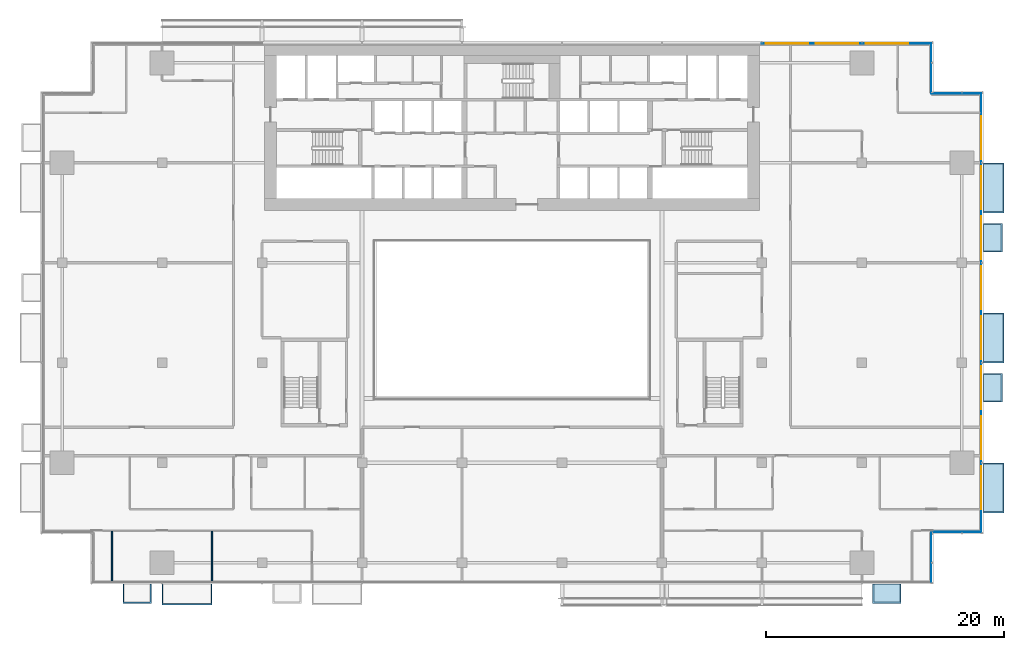
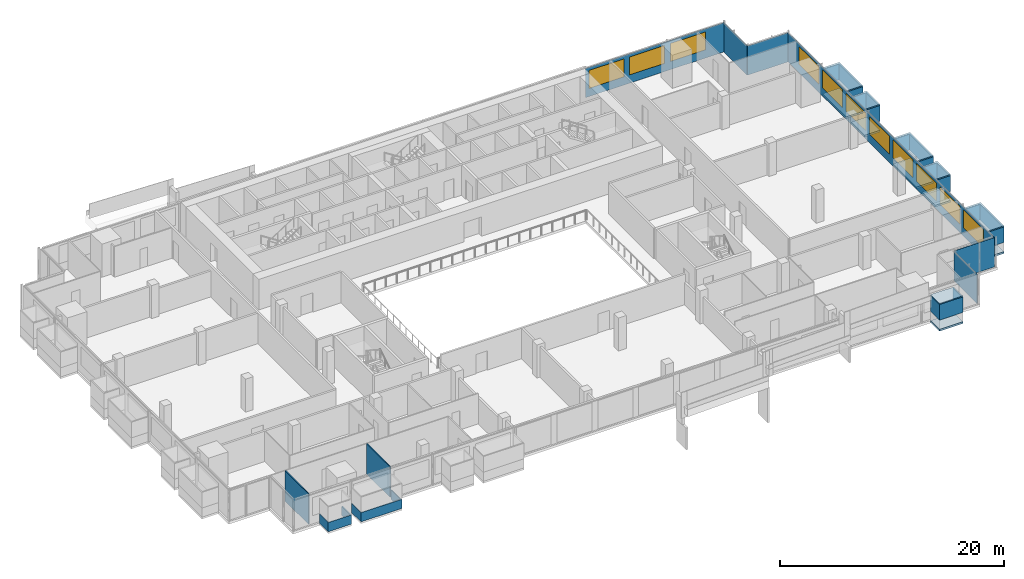
# One storey, part 16 of 26: 18 plates, 11 windows, 6 slabs, 4 walls, 11 openings, 6 elements without a shape of their own.
"""IFC4 building model written with IfcOpenShell, lengths in metres."""

from ifc_helpers import new_model, si_unit, direction, frame, frame_2d, origin, place, context, subcontext, project, spatial, polyline, rectangle, outline, extrude, material, layer, layer_set, type_object, element, fill, aggregate, save


model = new_model("IFC4")

# Units and contexts
model_context = context("Model", 3, precision=1e-05, world=origin(), true_north=direction((0.0, 1.0)))
body_context = subcontext(model_context, "Body", "Model", "MODEL_VIEW")
ifc_project = project(units=[si_unit("LENGTHUNIT", "METRE"), si_unit("AREAUNIT", "SQUARE_METRE"), si_unit("VOLUMEUNIT", "CUBIC_METRE"), si_unit("PLANEANGLEUNIT", "RADIAN"), si_unit("MASSUNIT", "GRAM", prefix="KILO")], contexts=[model_context])

# Site, building, storey
site_placement = place(None, origin())
site = spatial("IfcSite", under=ifc_project, at=site_placement, CompositionType="ELEMENT")
building_placement = place(site_placement, origin())
building = spatial("IfcBuilding", under=site, at=building_placement, Name="Saffron Gate Tower", CompositionType="ELEMENT")
storey_placement = place(building_placement, frame((0.0, 0.0, 102.449951171875)))
storey = spatial("IfcBuildingStorey", under=building, at=storey_placement, Name="L23", CompositionType="ELEMENT", Elevation=102.449951171875)

# Curtain wall, plate, openings, windows
ifc_material_1 = material(Name="Aluminium, bronze anodised", Category="aluminium")
curtain_wall_type_1 = type_object("IfcCurtainWallType", Name="CWS2 curtain wall side facades", PredefinedType="NOTDEFINED", material=ifc_material_1)
curtain_wall_1_placement = place(storey_placement, origin())
curtain_wall_1 = element("IfcCurtainWall", 1, at=curtain_wall_1_placement, inside=storey, type_object=curtain_wall_type_1, Name="CWS2 run 4", PredefinedType="NOTDEFINED")
ifc_material_2 = material(Name="Fritted bronze-tinted laminated glass", Category="glass")
ifc_layer_1 = layer(ifc_material_2, 0.028076171875)
ifc_layer_set_1 = layer_set([ifc_layer_1], Name="CWS2 fixed glass")
plate_type_1 = type_object("IfcPlateType", Name="CWS2 fixed glass", PredefinedType="CURTAIN_PANEL", material=ifc_layer_set_1)
plate_1_placement = place(storey_placement, frame((127.02587890625, 34.387939453125, 0.0), z_axis=(0.0, 0.0, 1.0), x_axis=(0.0, 1.0, 0.0)))
plate_1 = element("IfcPlate", 2, at=plate_1_placement, type_object=plate_type_1, Name="CWS2 glass panel", PredefinedType="CURTAIN_PANEL", context=body_context, shape_type="SweptSolid", body=[
    extrude(rectangle(XDim=36.823974609375, YDim=0.028076171875, at=frame_2d((18.412109375, 0.0))), origin(), (0.0, 0.0, 1.0), 3.199951171875),
])
opening_1_placement = place(plate_1_placement, frame((1.912109375, 0.0, 0.89990234375)))
opening_1 = element("IfcOpeningElement", 3, at=opening_1_placement, cuts=plate_1, Name="Opening W1", PredefinedType="OPENING", context=body_context, shape_type="SweptSolid", body=[
    extrude(rectangle(XDim=3.60009765625, YDim=1.949951171875, at=frame_2d((1.800048828125, 0.97509765625))), frame((0.0, 0.02392578125, 0.0), z_axis=(0.0, -1.0, 0.0), x_axis=(1.0, 0.0, 0.0)), (0.0, 0.0, 1.0), 0.048095703125),
])
opening_2_placement = place(plate_1_placement, frame((6.112060546875, 0.0, 0.89990234375)))
opening_2 = element("IfcOpeningElement", 4, at=opening_2_placement, cuts=plate_1, Name="Opening W1", PredefinedType="OPENING", context=body_context, shape_type="SweptSolid", body=[
    extrude(rectangle(XDim=3.60009765625, YDim=1.949951171875, at=frame_2d((1.800048828125, 0.97509765625))), frame((0.0, 0.02392578125, 0.0), z_axis=(0.0, -1.0, 0.0), x_axis=(1.0, 0.0, 0.0)), (0.0, 0.0, 1.0), 0.048095703125),
])
opening_3_placement = place(plate_1_placement, frame((10.31201171875, 0.0, 0.89990234375)))
opening_3 = element("IfcOpeningElement", 5, at=opening_3_placement, cuts=plate_1, Name="Opening W1", PredefinedType="OPENING", context=body_context, shape_type="SweptSolid", body=[
    extrude(rectangle(XDim=3.60009765625, YDim=1.949951171875, at=frame_2d((1.800048828125, 0.97509765625))), frame((0.0, 0.02392578125, 0.0), z_axis=(0.0, -1.0, 0.0), x_axis=(1.0, 0.0, 0.0)), (0.0, 0.0, 1.0), 0.048095703125),
])
opening_4_placement = place(plate_1_placement, frame((14.511962890625, 0.0, 0.89990234375)))
opening_4 = element("IfcOpeningElement", 6, at=opening_4_placement, cuts=plate_1, Name="Opening W1", PredefinedType="OPENING", context=body_context, shape_type="SweptSolid", body=[
    extrude(rectangle(XDim=3.60009765625, YDim=1.949951171875, at=frame_2d((1.800048828125, 0.97509765625))), frame((0.0, 0.02392578125, 0.0), z_axis=(0.0, -1.0, 0.0), x_axis=(1.0, 0.0, 0.0)), (0.0, 0.0, 1.0), 0.048095703125),
])
opening_5_placement = place(plate_1_placement, frame((18.7119140625, 0.0, 0.89990234375)))
opening_5 = element("IfcOpeningElement", 7, at=opening_5_placement, cuts=plate_1, Name="Opening W1", PredefinedType="OPENING", context=body_context, shape_type="SweptSolid", body=[
    extrude(rectangle(XDim=3.60009765625, YDim=1.949951171875, at=frame_2d((1.800048828125, 0.97509765625))), frame((0.0, 0.02392578125, 0.0), z_axis=(0.0, -1.0, 0.0), x_axis=(1.0, 0.0, 0.0)), (0.0, 0.0, 1.0), 0.048095703125),
])
opening_6_placement = place(plate_1_placement, frame((22.912109375, 0.0, 0.89990234375)))
opening_6 = element("IfcOpeningElement", 8, at=opening_6_placement, cuts=plate_1, Name="Opening W1", PredefinedType="OPENING", context=body_context, shape_type="SweptSolid", body=[
    extrude(rectangle(XDim=3.60009765625, YDim=1.949951171875, at=frame_2d((1.800048828125, 0.97509765625))), frame((0.0, 0.02392578125, 0.0), z_axis=(0.0, -1.0, 0.0), x_axis=(1.0, 0.0, 0.0)), (0.0, 0.0, 1.0), 0.048095703125),
])
opening_7_placement = place(plate_1_placement, frame((27.112060546875, 0.0, 0.89990234375)))
opening_7 = element("IfcOpeningElement", 9, at=opening_7_placement, cuts=plate_1, Name="Opening W1", PredefinedType="OPENING", context=body_context, shape_type="SweptSolid", body=[
    extrude(rectangle(XDim=3.60009765625, YDim=1.949951171875, at=frame_2d((1.800048828125, 0.97509765625))), frame((0.0, 0.02392578125, 0.0), z_axis=(0.0, -1.0, 0.0), x_axis=(1.0, 0.0, 0.0)), (0.0, 0.0, 1.0), 0.048095703125),
])
opening_8_placement = place(plate_1_placement, frame((31.31201171875, 0.0, 0.89990234375)))
opening_8 = element("IfcOpeningElement", 10, at=opening_8_placement, cuts=plate_1, Name="Opening W1", PredefinedType="OPENING", context=body_context, shape_type="SweptSolid", body=[
    extrude(rectangle(XDim=3.60009765625, YDim=1.949951171875, at=frame_2d((1.800048828125, 0.97509765625))), frame((0.0, 0.02392578125, 0.0), z_axis=(0.0, -1.0, 0.0), x_axis=(1.0, 0.0, 0.0)), (0.0, 0.0, 1.0), 0.048095703125),
])
ifc_material_3 = material(Name="Fritted bronze-tinted laminated glass in bronze frame", Category="glass")
ifc_layer_2 = layer(ifc_material_3, 0.06005859375)
ifc_layer_set_2 = layer_set([ifc_layer_2], Name="W1 operable panel 3600x1950")
window_type = type_object("IfcWindowType", Name="W1 operable panel 3600x1950", PartitioningType="DOUBLE_PANEL_HORIZONTAL", PredefinedType="WINDOW", material=ifc_layer_set_2)
window_1_placement = place(opening_1_placement, origin())
window_1 = element("IfcWindow", 11, at=window_1_placement, type_object=window_type, Name="W1 operable panel", OverallHeight=1.949951171875, OverallWidth=3.60009765625, PartitioningType="SINGLE_PANEL", PredefinedType="WINDOW", context=body_context, shape_type="SweptSolid", body=[
    extrude(rectangle(XDim=3.60009765625, YDim=1.949951171875, at=frame_2d((1.800048828125, 0.97509765625))), frame((0.0, 0.013671875, 0.0), z_axis=(0.0, -1.0, 0.0), x_axis=(1.0, 0.0, 0.0)), (0.0, 0.0, 1.0), 0.027587890625),
])
fill(opening_1, window_1)
window_2_placement = place(opening_2_placement, origin())
window_2 = element("IfcWindow", 12, at=window_2_placement, type_object=window_type, Name="W1 operable panel", OverallHeight=1.949951171875, OverallWidth=3.60009765625, PartitioningType="SINGLE_PANEL", PredefinedType="WINDOW", context=body_context, shape_type="SweptSolid", body=[
    extrude(rectangle(XDim=3.60009765625, YDim=1.949951171875, at=frame_2d((1.800048828125, 0.97509765625))), frame((0.0, 0.013671875, 0.0), z_axis=(0.0, -1.0, 0.0), x_axis=(1.0, 0.0, 0.0)), (0.0, 0.0, 1.0), 0.027587890625),
])
fill(opening_2, window_2)
window_3_placement = place(opening_3_placement, origin())
window_3 = element("IfcWindow", 13, at=window_3_placement, type_object=window_type, Name="W1 operable panel", OverallHeight=1.949951171875, OverallWidth=3.60009765625, PartitioningType="SINGLE_PANEL", PredefinedType="WINDOW", context=body_context, shape_type="SweptSolid", body=[
    extrude(rectangle(XDim=3.60009765625, YDim=1.949951171875, at=frame_2d((1.800048828125, 0.97509765625))), frame((0.0, 0.013671875, 0.0), z_axis=(0.0, -1.0, 0.0), x_axis=(1.0, 0.0, 0.0)), (0.0, 0.0, 1.0), 0.027587890625),
])
fill(opening_3, window_3)
window_4_placement = place(opening_4_placement, origin())
window_4 = element("IfcWindow", 14, at=window_4_placement, type_object=window_type, Name="W1 operable panel", OverallHeight=1.949951171875, OverallWidth=3.60009765625, PartitioningType="SINGLE_PANEL", PredefinedType="WINDOW", context=body_context, shape_type="SweptSolid", body=[
    extrude(rectangle(XDim=3.60009765625, YDim=1.949951171875, at=frame_2d((1.800048828125, 0.97509765625))), frame((0.0, 0.013671875, 0.0), z_axis=(0.0, -1.0, 0.0), x_axis=(1.0, 0.0, 0.0)), (0.0, 0.0, 1.0), 0.027587890625),
])
fill(opening_4, window_4)
window_5_placement = place(opening_5_placement, origin())
window_5 = element("IfcWindow", 15, at=window_5_placement, type_object=window_type, Name="W1 operable panel", OverallHeight=1.949951171875, OverallWidth=3.60009765625, PartitioningType="SINGLE_PANEL", PredefinedType="WINDOW", context=body_context, shape_type="SweptSolid", body=[
    extrude(rectangle(XDim=3.60009765625, YDim=1.949951171875, at=frame_2d((1.800048828125, 0.97509765625))), frame((0.0, 0.013671875, 0.0), z_axis=(0.0, -1.0, 0.0), x_axis=(1.0, 0.0, 0.0)), (0.0, 0.0, 1.0), 0.027587890625),
])
fill(opening_5, window_5)
window_6_placement = place(opening_6_placement, origin())
window_6 = element("IfcWindow", 16, at=window_6_placement, type_object=window_type, Name="W1 operable panel", OverallHeight=1.949951171875, OverallWidth=3.60009765625, PartitioningType="SINGLE_PANEL", PredefinedType="WINDOW", context=body_context, shape_type="SweptSolid", body=[
    extrude(rectangle(XDim=3.60009765625, YDim=1.949951171875, at=frame_2d((1.800048828125, 0.97509765625))), frame((0.0, 0.013671875, 0.0), z_axis=(0.0, -1.0, 0.0), x_axis=(1.0, 0.0, 0.0)), (0.0, 0.0, 1.0), 0.027587890625),
])
fill(opening_6, window_6)
window_7_placement = place(opening_7_placement, origin())
window_7 = element("IfcWindow", 17, at=window_7_placement, type_object=window_type, Name="W1 operable panel", OverallHeight=1.949951171875, OverallWidth=3.60009765625, PartitioningType="SINGLE_PANEL", PredefinedType="WINDOW", context=body_context, shape_type="SweptSolid", body=[
    extrude(rectangle(XDim=3.60009765625, YDim=1.949951171875, at=frame_2d((1.800048828125, 0.97509765625))), frame((0.0, 0.013671875, 0.0), z_axis=(0.0, -1.0, 0.0), x_axis=(1.0, 0.0, 0.0)), (0.0, 0.0, 1.0), 0.027587890625),
])
fill(opening_7, window_7)
window_8_placement = place(opening_8_placement, origin())
window_8 = element("IfcWindow", 18, at=window_8_placement, type_object=window_type, Name="W1 operable panel", OverallHeight=1.949951171875, OverallWidth=3.60009765625, PartitioningType="SINGLE_PANEL", PredefinedType="WINDOW", context=body_context, shape_type="SweptSolid", body=[
    extrude(rectangle(XDim=3.60009765625, YDim=1.949951171875, at=frame_2d((1.800048828125, 0.97509765625))), frame((0.0, 0.013671875, 0.0), z_axis=(0.0, -1.0, 0.0), x_axis=(1.0, 0.0, 0.0)), (0.0, 0.0, 1.0), 0.027587890625),
])
fill(opening_8, window_8)
aggregate(curtain_wall_1, [plate_1, window_1, window_2, window_3, window_4, window_5, window_6, window_7, window_8])

curtain_wall_type_2 = type_object("IfcCurtainWallType", Name="CWS3 curtain wall rear facade", PredefinedType="NOTDEFINED", material=ifc_material_1)
curtain_wall_2_placement = place(storey_placement, origin())
curtain_wall_2 = element("IfcCurtainWall", 19, at=curtain_wall_2_placement, inside=storey, type_object=curtain_wall_type_2, Name="CWS3 run 7", PredefinedType="NOTDEFINED")
ifc_material_4 = material(Name="Fritted grey-tinted laminated glass", Category="glass")
ifc_layer_3 = layer(ifc_material_4, 0.028076171875)
ifc_layer_set_3 = layer_set([ifc_layer_3], Name="CWS3 fixed glass")
plate_type_2 = type_object("IfcPlateType", Name="CWS3 fixed glass", PredefinedType="CURTAIN_PANEL", material=ifc_layer_set_3)
plate_2_placement = place(storey_placement, frame((122.81201171875, 75.426025390625, 0.0), z_axis=(0.0, 0.0, 1.0), x_axis=(-1.0, 0.0, 0.0)))
plate_2 = element("IfcPlate", 20, at=plate_2_placement, type_object=plate_type_2, Name="CWS3 glass panel", PredefinedType="CURTAIN_PANEL", context=body_context, shape_type="SweptSolid", body=[
    extrude(rectangle(XDim=14.2470703125, YDim=0.028076171875, at=frame_2d((7.12353515625, 0.0))), origin(), (0.0, 0.0, 1.0), 3.199951171875),
])
opening_9_placement = place(plate_2_placement, frame((1.912109375, 0.0, 0.89990234375)))
opening_9 = element("IfcOpeningElement", 21, at=opening_9_placement, cuts=plate_2, Name="Opening W1", PredefinedType="OPENING", context=body_context, shape_type="SweptSolid", body=[
    extrude(rectangle(XDim=3.60009765625, YDim=1.949951171875, at=frame_2d((1.800048828125, 0.97509765625))), frame((0.0, 0.02392578125, 0.0), z_axis=(0.0, -1.0, 0.0), x_axis=(1.0, 0.0, 0.0)), (0.0, 0.0, 1.0), 0.048095703125),
])
opening_10_placement = place(plate_2_placement, frame((6.112060546875, 0.0, 0.89990234375)))
opening_10 = element("IfcOpeningElement", 22, at=opening_10_placement, cuts=plate_2, Name="Opening W1", PredefinedType="OPENING", context=body_context, shape_type="SweptSolid", body=[
    extrude(rectangle(XDim=3.60009765625, YDim=1.949951171875, at=frame_2d((1.800048828125, 0.97509765625))), frame((0.0, 0.02392578125, 0.0), z_axis=(0.0, -1.0, 0.0), x_axis=(1.0, 0.0, 0.0)), (0.0, 0.0, 1.0), 0.048095703125),
])
opening_11_placement = place(plate_2_placement, frame((10.31201171875, 0.0, 0.89990234375)))
opening_11 = element("IfcOpeningElement", 23, at=opening_11_placement, cuts=plate_2, Name="Opening W1", PredefinedType="OPENING", context=body_context, shape_type="SweptSolid", body=[
    extrude(rectangle(XDim=3.60009765625, YDim=1.949951171875, at=frame_2d((1.800048828125, 0.97509765625))), frame((0.0, 0.02392578125, 0.0), z_axis=(0.0, -1.0, 0.0), x_axis=(1.0, 0.0, 0.0)), (0.0, 0.0, 1.0), 0.048095703125),
])
window_9_placement = place(opening_9_placement, origin())
window_9 = element("IfcWindow", 24, at=window_9_placement, type_object=window_type, Name="W1 operable panel", OverallHeight=1.949951171875, OverallWidth=3.60009765625, PartitioningType="SINGLE_PANEL", PredefinedType="WINDOW", context=body_context, shape_type="SweptSolid", body=[
    extrude(rectangle(XDim=3.60009765625, YDim=1.949951171875, at=frame_2d((1.800048828125, 0.97509765625))), frame((0.0, 0.013671875, 0.0), z_axis=(0.0, -1.0, 0.0), x_axis=(1.0, 0.0, 0.0)), (0.0, 0.0, 1.0), 0.027587890625),
])
fill(opening_9, window_9)
window_10_placement = place(opening_10_placement, origin())
window_10 = element("IfcWindow", 25, at=window_10_placement, type_object=window_type, Name="W1 operable panel", OverallHeight=1.949951171875, OverallWidth=3.60009765625, PartitioningType="SINGLE_PANEL", PredefinedType="WINDOW", context=body_context, shape_type="SweptSolid", body=[
    extrude(rectangle(XDim=3.60009765625, YDim=1.949951171875, at=frame_2d((1.800048828125, 0.97509765625))), frame((0.0, 0.013671875, 0.0), z_axis=(0.0, -1.0, 0.0), x_axis=(1.0, 0.0, 0.0)), (0.0, 0.0, 1.0), 0.027587890625),
])
fill(opening_10, window_10)
window_11_placement = place(opening_11_placement, origin())
window_11 = element("IfcWindow", 26, at=window_11_placement, type_object=window_type, Name="W1 operable panel", OverallHeight=1.949951171875, OverallWidth=3.60009765625, PartitioningType="SINGLE_PANEL", PredefinedType="WINDOW", context=body_context, shape_type="SweptSolid", body=[
    extrude(rectangle(XDim=3.60009765625, YDim=1.949951171875, at=frame_2d((1.800048828125, 0.97509765625))), frame((0.0, 0.013671875, 0.0), z_axis=(0.0, -1.0, 0.0), x_axis=(1.0, 0.0, 0.0)), (0.0, 0.0, 1.0), 0.027587890625),
])
fill(opening_11, window_11)
aggregate(curtain_wall_2, [plate_2, window_9, window_10, window_11])

# Curtain wall, plate
curtain_wall_type_3 = type_object("IfcCurtainWallType", Name="CWS4 curtain wall corner returns", PredefinedType="NOTDEFINED", material=ifc_material_1)
curtain_wall_3_placement = place(storey_placement, origin())
curtain_wall_3 = element("IfcCurtainWall", 27, at=curtain_wall_3_placement, inside=storey, type_object=curtain_wall_type_3, Name="CWS4 run 2", PredefinedType="NOTDEFINED")
ifc_layer_4 = layer(ifc_material_2, 0.028076171875)
ifc_layer_set_4 = layer_set([ifc_layer_4], Name="CWS4 fixed glass")
plate_type_3 = type_object("IfcPlateType", Name="CWS4 fixed glass", PredefinedType="CURTAIN_PANEL", material=ifc_layer_set_4)
plate_3_placement = place(storey_placement, frame((122.825927734375, 30.18798828125, 0.0), z_axis=(0.0, 0.0, 1.0), x_axis=(0.0, 1.0, 0.0)))
plate_3 = element("IfcPlate", 28, at=plate_3_placement, type_object=plate_type_3, Name="CWS4 glass panel", PredefinedType="CURTAIN_PANEL", context=body_context, shape_type="SweptSolid", body=[
    extrude(rectangle(XDim=4.172119140625, YDim=0.028076171875, at=frame_2d((2.0859375, 0.0))), origin(), (0.0, 0.0, 1.0), 3.199951171875),
])
aggregate(curtain_wall_3, [plate_3])

curtain_wall_4_placement = place(storey_placement, origin())
curtain_wall_4 = element("IfcCurtainWall", 29, at=curtain_wall_4_placement, inside=storey, type_object=curtain_wall_type_3, Name="CWS4 run 3", PredefinedType="NOTDEFINED")
plate_4_placement = place(storey_placement, frame((122.840087890625, 34.3740234375, 0.0), z_axis=(0.0, 0.0, 1.0), x_axis=(1.0, 0.0, 0.0)))
plate_4 = element("IfcPlate", 30, at=plate_4_placement, type_object=plate_type_3, Name="CWS4 glass panel", PredefinedType="CURTAIN_PANEL", context=body_context, shape_type="SweptSolid", body=[
    extrude(rectangle(XDim=4.171875, YDim=0.028076171875, at=frame_2d((2.0859375, 0.0))), origin(), (0.0, 0.0, 1.0), 3.199951171875),
])
aggregate(curtain_wall_4, [plate_4])

curtain_wall_5_placement = place(storey_placement, origin())
curtain_wall_5 = element("IfcCurtainWall", 31, at=curtain_wall_5_placement, inside=storey, type_object=curtain_wall_type_3, Name="CWS4 run 5", PredefinedType="NOTDEFINED")
plate_5_placement = place(storey_placement, frame((127.011962890625, 71.22607421875, 0.0), z_axis=(0.0, 0.0, 1.0), x_axis=(-1.0, 0.0, 0.0)))
plate_5 = element("IfcPlate", 32, at=plate_5_placement, type_object=plate_type_3, Name="CWS4 glass panel", PredefinedType="CURTAIN_PANEL", context=body_context, shape_type="SweptSolid", body=[
    extrude(rectangle(XDim=4.171875, YDim=0.028076171875, at=frame_2d((2.0859375, 0.0))), origin(), (0.0, 0.0, 1.0), 3.199951171875),
])
aggregate(curtain_wall_5, [plate_5])

curtain_wall_6_placement = place(storey_placement, origin())
curtain_wall_6 = element("IfcCurtainWall", 33, at=curtain_wall_6_placement, inside=storey, type_object=curtain_wall_type_3, Name="CWS4 run 6", PredefinedType="NOTDEFINED")
plate_6_placement = place(storey_placement, frame((122.825927734375, 71.239990234375, 0.0), z_axis=(0.0, 0.0, 1.0), x_axis=(0.0, 1.0, 0.0)))
plate_6 = element("IfcPlate", 34, at=plate_6_placement, type_object=plate_type_3, Name="CWS4 glass panel", PredefinedType="CURTAIN_PANEL", context=body_context, shape_type="SweptSolid", body=[
    extrude(rectangle(XDim=4.172119140625, YDim=0.028076171875, at=frame_2d((2.0859375, 0.0))), origin(), (0.0, 0.0, 1.0), 3.199951171875),
])
aggregate(curtain_wall_6, [plate_6])

# Slabs
ifc_material_5 = material(Name="Timber deck on bronze frame", Category="wood")
ifc_layer_5 = layer(ifc_material_5, 0.199951171875)
ifc_layer_set_5 = layer_set([ifc_layer_5], Name="WB1 box floor")
slab_type = type_object("IfcSlabType", Name="WB1 box floor", PredefinedType="FLOOR", material=ifc_layer_set_5)
slab_1_placement = place(storey_placement, frame((0.0, 0.0, -0.199951171875)))
element("IfcSlab", 35, at=slab_1_placement, inside=storey, type_object=slab_type, Name="WINDOW BOX floor", PredefinedType="FLOOR", context=body_context, shape_type="SweptSolid", body=[
    extrude(outline(polyline([(117.89990234375, 30.0), (120.300048828125, 30.0), (120.300048828125, 28.39990234375), (117.89990234375, 28.39990234375), (117.89990234375, 30.0)])), origin(), (0.0, 0.0, 1.0), 0.199951171875),
])
slab_2_placement = place(storey_placement, frame((0.0, 0.0, -0.199951171875)))
element("IfcSlab", 36, at=slab_2_placement, inside=storey, type_object=slab_type, Name="WINDOW BOX floor", PredefinedType="FLOOR", context=body_context, shape_type="SweptSolid", body=[
    extrude(outline(polyline([(127.199951171875, 36.0), (127.199951171875, 40.199951171875), (128.93310546875, 40.199951171875), (128.93310546875, 36.0), (127.199951171875, 36.0)])), origin(), (0.0, 0.0, 1.0), 0.199951171875),
])
slab_3_placement = place(storey_placement, frame((0.0, 0.0, -0.199951171875)))
element("IfcSlab", 37, at=slab_3_placement, inside=storey, type_object=slab_type, Name="WINDOW BOX floor", PredefinedType="FLOOR", context=body_context, shape_type="SweptSolid", body=[
    extrude(outline(polyline([(127.199951171875, 45.300048828125), (127.199951171875, 47.699951171875), (128.800048828125, 47.699951171875), (128.800048828125, 45.300048828125), (127.199951171875, 45.300048828125)])), origin(), (0.0, 0.0, 1.0), 0.199951171875),
])
slab_4_placement = place(storey_placement, frame((0.0, 0.0, -0.199951171875)))
element("IfcSlab", 38, at=slab_4_placement, inside=storey, type_object=slab_type, Name="WINDOW BOX floor", PredefinedType="FLOOR", context=body_context, shape_type="SweptSolid", body=[
    extrude(outline(polyline([(127.199951171875, 48.60009765625), (127.199951171875, 52.800048828125), (128.93310546875, 52.800048828125), (128.93310546875, 48.60009765625), (127.199951171875, 48.60009765625)])), origin(), (0.0, 0.0, 1.0), 0.199951171875),
])
slab_5_placement = place(storey_placement, frame((0.0, 0.0, -0.199951171875)))
element("IfcSlab", 39, at=slab_5_placement, inside=storey, type_object=slab_type, Name="WINDOW BOX floor", PredefinedType="FLOOR", context=body_context, shape_type="SweptSolid", body=[
    extrude(outline(polyline([(127.199951171875, 57.89990234375), (127.199951171875, 60.300048828125), (128.800048828125, 60.300048828125), (128.800048828125, 57.89990234375), (127.199951171875, 57.89990234375)])), origin(), (0.0, 0.0, 1.0), 0.199951171875),
])
slab_6_placement = place(storey_placement, frame((0.0, 0.0, -0.199951171875)))
element("IfcSlab", 40, at=slab_6_placement, inside=storey, type_object=slab_type, Name="WINDOW BOX floor", PredefinedType="FLOOR", context=body_context, shape_type="SweptSolid", body=[
    extrude(outline(polyline([(127.199951171875, 61.199951171875), (127.199951171875, 65.39990234375), (128.93310546875, 65.39990234375), (128.93310546875, 61.199951171875), (127.199951171875, 61.199951171875)])), origin(), (0.0, 0.0, 1.0), 0.199951171875),
])

# Plates
ifc_layer_6 = layer(ifc_material_1, 0.1201171875)
ifc_layer_set_6 = layer_set([ifc_layer_6], Name="WB2 box roof")
plate_type_4 = type_object("IfcPlateType", Name="WB2 box roof", PredefinedType="SHEET", material=ifc_layer_set_6)
plate_7_placement = place(storey_placement, frame((0.0, 0.0, 2.699951171875)))
element("IfcPlate", 41, at=plate_7_placement, inside=storey, type_object=plate_type_4, Name="WINDOW BOX roof", PredefinedType="SHEET", context=body_context, shape_type="SweptSolid", body=[
    extrude(outline(polyline([(117.89990234375, 30.0), (120.300048828125, 30.0), (120.300048828125, 28.39990234375), (117.89990234375, 28.39990234375), (117.89990234375, 30.0)])), origin(), (0.0, 0.0, 1.0), 0.1201171875),
])
plate_8_placement = place(storey_placement, frame((0.0, 0.0, 2.699951171875)))
element("IfcPlate", 42, at=plate_8_placement, inside=storey, type_object=plate_type_4, Name="WINDOW BOX roof", PredefinedType="SHEET", context=body_context, shape_type="SweptSolid", body=[
    extrude(outline(polyline([(127.199951171875, 36.0), (127.199951171875, 40.199951171875), (128.93310546875, 40.199951171875), (128.93310546875, 36.0), (127.199951171875, 36.0)])), origin(), (0.0, 0.0, 1.0), 0.1201171875),
])
plate_9_placement = place(storey_placement, frame((0.0, 0.0, 2.699951171875)))
element("IfcPlate", 43, at=plate_9_placement, inside=storey, type_object=plate_type_4, Name="WINDOW BOX roof", PredefinedType="SHEET", context=body_context, shape_type="SweptSolid", body=[
    extrude(outline(polyline([(127.199951171875, 45.300048828125), (127.199951171875, 47.699951171875), (128.800048828125, 47.699951171875), (128.800048828125, 45.300048828125), (127.199951171875, 45.300048828125)])), origin(), (0.0, 0.0, 1.0), 0.1201171875),
])
plate_10_placement = place(storey_placement, frame((0.0, 0.0, 2.699951171875)))
element("IfcPlate", 44, at=plate_10_placement, inside=storey, type_object=plate_type_4, Name="WINDOW BOX roof", PredefinedType="SHEET", context=body_context, shape_type="SweptSolid", body=[
    extrude(outline(polyline([(127.199951171875, 48.60009765625), (127.199951171875, 52.800048828125), (128.93310546875, 52.800048828125), (128.93310546875, 48.60009765625), (127.199951171875, 48.60009765625)])), origin(), (0.0, 0.0, 1.0), 0.1201171875),
])
plate_11_placement = place(storey_placement, frame((0.0, 0.0, 2.699951171875)))
element("IfcPlate", 45, at=plate_11_placement, inside=storey, type_object=plate_type_4, Name="WINDOW BOX roof", PredefinedType="SHEET", context=body_context, shape_type="SweptSolid", body=[
    extrude(outline(polyline([(127.199951171875, 57.89990234375), (127.199951171875, 60.300048828125), (128.800048828125, 60.300048828125), (128.800048828125, 57.89990234375), (127.199951171875, 57.89990234375)])), origin(), (0.0, 0.0, 1.0), 0.1201171875),
])
plate_12_placement = place(storey_placement, frame((0.0, 0.0, 2.699951171875)))
element("IfcPlate", 46, at=plate_12_placement, inside=storey, type_object=plate_type_4, Name="WINDOW BOX roof", PredefinedType="SHEET", context=body_context, shape_type="SweptSolid", body=[
    extrude(outline(polyline([(127.199951171875, 61.199951171875), (127.199951171875, 65.39990234375), (128.93310546875, 65.39990234375), (128.93310546875, 61.199951171875), (127.199951171875, 61.199951171875)])), origin(), (0.0, 0.0, 1.0), 0.1201171875),
])
ifc_material_6 = material(Name="Clear low-iron laminated glass", Category="glass")
ifc_layer_7 = layer(ifc_material_6, 0.10009765625)
ifc_layer_set_7 = layer_set([ifc_layer_7], Name="WB6 box glazing")
plate_type_5 = type_object("IfcPlateType", Name="WB6 box glazing", PredefinedType="SHEET", material=ifc_layer_set_7)
plate_13_placement = place(storey_placement, frame((0.0, 0.0, 1.0)))
element("IfcPlate", 47, at=plate_13_placement, inside=storey, type_object=plate_type_5, Name="WINDOW BOX glazing", PredefinedType="SHEET", context=body_context, shape_type="SweptSolid", body=[
    extrude(outline(polyline([(117.89990234375, 30.0), (118.0, 30.0), (118.0, 28.5), (120.199951171875, 28.5), (120.199951171875, 30.0), (120.300048828125, 30.0), (120.300048828125, 28.39990234375), (117.89990234375, 28.39990234375), (117.89990234375, 30.0)])), origin(), (0.0, 0.0, 1.0), 1.699951171875),
])
plate_14_placement = place(storey_placement, frame((0.0, 0.0, 1.0)))
element("IfcPlate", 48, at=plate_14_placement, inside=storey, type_object=plate_type_5, Name="WINDOW BOX glazing", PredefinedType="SHEET", context=body_context, shape_type="SweptSolid", body=[
    extrude(outline(polyline([(127.199951171875, 36.0), (127.199951171875, 36.10009765625), (128.8330078125, 36.10009765625), (128.8330078125, 40.10009765625), (127.199951171875, 40.10009765625), (127.199951171875, 40.199951171875), (128.93310546875, 40.199951171875), (128.93310546875, 36.0), (127.199951171875, 36.0)])), origin(), (0.0, 0.0, 1.0), 1.699951171875),
])
plate_15_placement = place(storey_placement, frame((0.0, 0.0, 1.0)))
element("IfcPlate", 49, at=plate_15_placement, inside=storey, type_object=plate_type_5, Name="WINDOW BOX glazing", PredefinedType="SHEET", context=body_context, shape_type="SweptSolid", body=[
    extrude(outline(polyline([(127.199951171875, 45.300048828125), (127.199951171875, 45.39990234375), (128.699951171875, 45.39990234375), (128.699951171875, 47.60009765625), (127.199951171875, 47.60009765625), (127.199951171875, 47.699951171875), (128.800048828125, 47.699951171875), (128.800048828125, 45.300048828125), (127.199951171875, 45.300048828125)])), origin(), (0.0, 0.0, 1.0), 1.699951171875),
])
plate_16_placement = place(storey_placement, frame((0.0, 0.0, 1.0)))
element("IfcPlate", 50, at=plate_16_placement, inside=storey, type_object=plate_type_5, Name="WINDOW BOX glazing", PredefinedType="SHEET", context=body_context, shape_type="SweptSolid", body=[
    extrude(outline(polyline([(127.199951171875, 48.60009765625), (127.199951171875, 48.699951171875), (128.8330078125, 48.699951171875), (128.8330078125, 52.699951171875), (127.199951171875, 52.699951171875), (127.199951171875, 52.800048828125), (128.93310546875, 52.800048828125), (128.93310546875, 48.60009765625), (127.199951171875, 48.60009765625)])), origin(), (0.0, 0.0, 1.0), 1.699951171875),
])
plate_17_placement = place(storey_placement, frame((0.0, 0.0, 1.0)))
element("IfcPlate", 51, at=plate_17_placement, inside=storey, type_object=plate_type_5, Name="WINDOW BOX glazing", PredefinedType="SHEET", context=body_context, shape_type="SweptSolid", body=[
    extrude(outline(polyline([(127.199951171875, 57.89990234375), (127.199951171875, 58.0), (128.699951171875, 58.0), (128.699951171875, 60.199951171875), (127.199951171875, 60.199951171875), (127.199951171875, 60.300048828125), (128.800048828125, 60.300048828125), (128.800048828125, 57.89990234375), (127.199951171875, 57.89990234375)])), origin(), (0.0, 0.0, 1.0), 1.699951171875),
])
plate_18_placement = place(storey_placement, frame((0.0, 0.0, 1.0)))
element("IfcPlate", 52, at=plate_18_placement, inside=storey, type_object=plate_type_5, Name="WINDOW BOX glazing", PredefinedType="SHEET", context=body_context, shape_type="SweptSolid", body=[
    extrude(outline(polyline([(127.199951171875, 61.199951171875), (127.199951171875, 61.300048828125), (128.8330078125, 61.300048828125), (128.8330078125, 65.300048828125), (127.199951171875, 65.300048828125), (127.199951171875, 65.39990234375), (128.93310546875, 65.39990234375), (128.93310546875, 61.199951171875), (127.199951171875, 61.199951171875)])), origin(), (0.0, 0.0, 1.0), 1.699951171875),
])

# Walls
ifc_material_7 = material(Name="Plasterboard on steel studs", Category="steel")
ifc_layer_8 = layer(ifc_material_7, 0.10009765625)
ifc_layer_set_8 = layer_set([ifc_layer_8], Name="PW1 Partition 100")
wall_type_1 = type_object("IfcWallType", Name="PW1 Partition 100", PredefinedType="PARTITIONING", material=ifc_layer_set_8)
for number, where, z_axis, x_axis, name in (
    (53, (54.0, 34.449951171875, 0.0), (0.0, 0.0, 1.0), (0.0, -1.0, 0.0), "Partition B1-36"),
    (54, (62.39990234375, 34.449951171875, 0.0), (0.0, 0.0, 1.0), (0.0, -1.0, 0.0), "Partition B1-41"),
):
    element("IfcWall", number, at=place(storey_placement, frame(where, z_axis=z_axis, x_axis=x_axis)), inside=storey, type_object=wall_type_1, Name=name, PredefinedType="PARTITIONING", context=body_context, shape_type="SweptSolid", body=[
        extrude(rectangle(XDim=4.169921875, YDim=0.10009765625, at=frame_2d((2.0849609375, 0.0))), origin(), (0.0, 0.0, 1.0), 3.320068359375),
    ])
ifc_material_8 = material(Name="Rendered insulated panel, white")
ifc_layer_9 = layer(ifc_material_8, 0.10009765625)
ifc_layer_set_9 = layer_set([ifc_layer_9], Name="WB3 box parapet white")
wall_type_2 = type_object("IfcWallType", Name="WB3 box parapet white", PredefinedType="SOLIDWALL", material=ifc_layer_set_9)
wall_1_placement = place(storey_placement, origin())
element("IfcWall", 55, at=wall_1_placement, inside=storey, type_object=wall_type_2, Name="WINDOW BOX parapet", PredefinedType="SOLIDWALL", context=body_context, shape_type="SweptSolid", body=[
    extrude(outline(polyline([(54.89990234375, 30.0), (55.0, 30.0), (55.0, 28.5), (57.199951171875, 28.5), (57.199951171875, 30.0), (57.300048828125, 30.0), (57.300048828125, 28.39990234375), (54.89990234375, 28.39990234375), (54.89990234375, 30.0)])), origin(), (0.0, 0.0, 1.0), 1.0),
])
wall_2_placement = place(storey_placement, origin())
element("IfcWall", 56, at=wall_2_placement, inside=storey, type_object=wall_type_2, Name="WINDOW BOX parapet", PredefinedType="SOLIDWALL", context=body_context, shape_type="SweptSolid", body=[
    extrude(outline(polyline([(58.199951171875, 30.0), (58.300048828125, 30.0), (58.300048828125, 28.366943359375), (62.300048828125, 28.366943359375), (62.300048828125, 30.0), (62.39990234375, 30.0), (62.39990234375, 28.26708984375), (58.199951171875, 28.26708984375), (58.199951171875, 30.0)])), origin(), (0.0, 0.0, 1.0), 1.0),
])

save(model, "model.ifc")
